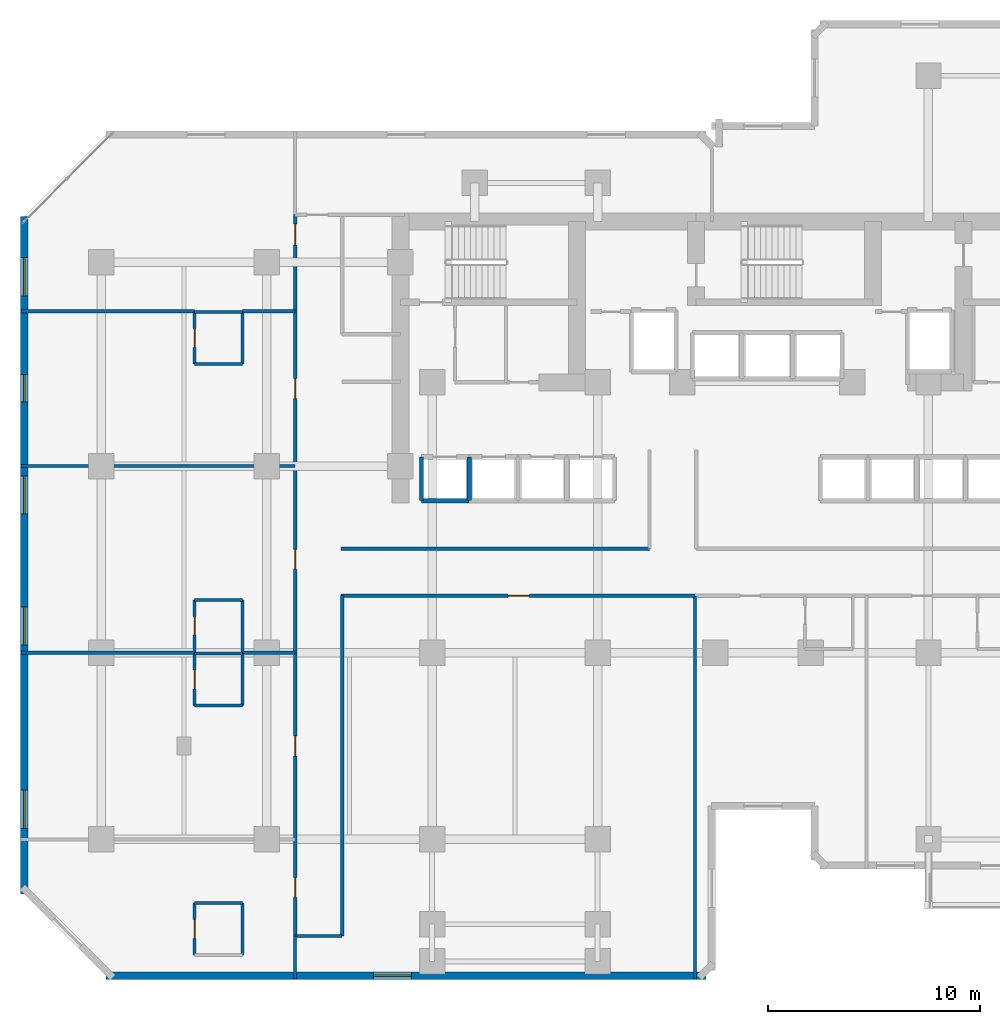
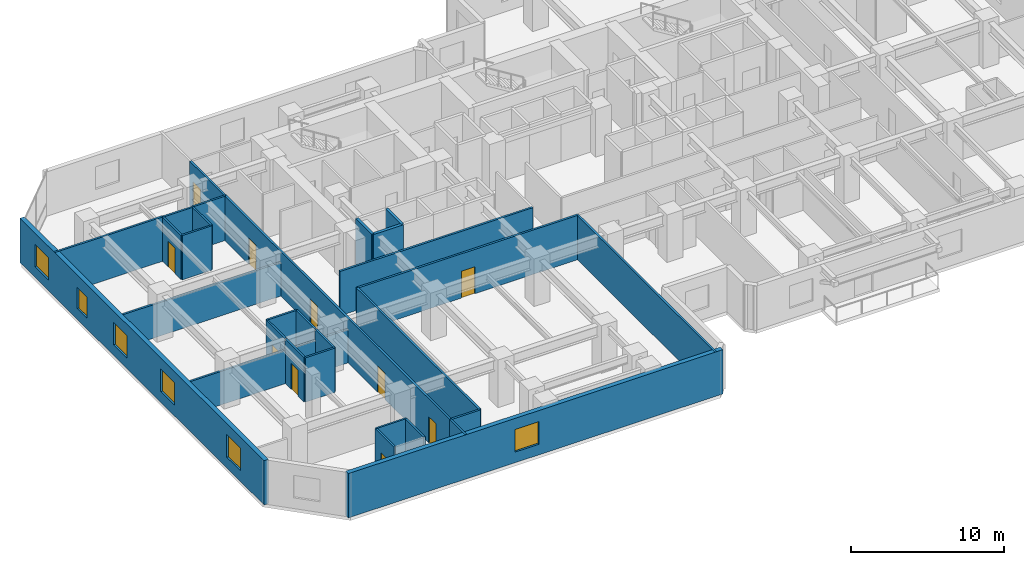
# One storey, part 5 of 11: 31 walls, 10 doors, 6 windows, 16 openings.
"""IFC4 building model written with IfcOpenShell, lengths in metres."""

from ifc_helpers import new_model, si_unit, direction, frame, frame_2d, origin, place, context, subcontext, project, spatial, rectangle, extrude, material, layer, layer_set, type_object, element, fill, save


model = new_model("IFC4")

# Units and contexts
model_context = context("Model", 3, precision=1e-05, world=origin(), true_north=direction((0.0, 1.0)))
body_context = subcontext(model_context, "Body", "Model", "MODEL_VIEW")
ifc_project = project(units=[si_unit("LENGTHUNIT", "METRE"), si_unit("AREAUNIT", "SQUARE_METRE"), si_unit("VOLUMEUNIT", "CUBIC_METRE"), si_unit("PLANEANGLEUNIT", "RADIAN"), si_unit("MASSUNIT", "GRAM", prefix="KILO")], contexts=[model_context])

# Site, building, storey
site_placement = place(None, origin())
site = spatial("IfcSite", under=ifc_project, at=site_placement, CompositionType="ELEMENT")
building_placement = place(site_placement, origin())
building = spatial("IfcBuilding", under=site, at=building_placement, Name="Kestravale Grand Hotel", CompositionType="ELEMENT")
storey_placement = place(building_placement, frame((0.0, 0.0, 84.199951171875)))
storey = spatial("IfcBuildingStorey", under=building, at=storey_placement, Name="L20", CompositionType="ELEMENT", Elevation=84.199951171875)

# Wall, opening, window
ifc_material_1 = material(Name="Precast concrete f'c 45 MPa", Category="concrete")
ifc_layer_1 = layer(ifc_material_1, 0.340087890625)
ifc_layer_set_1 = layer_set([ifc_layer_1], Name="EW-PREC-340")
wall_type_1 = type_object("IfcWallType", Name="EW-PREC-340", PredefinedType="SOLIDWALL", material=ifc_layer_set_1)
wall_1_placement = place(storey_placement, frame((8.030029296875, 4.77001953125, 0.0), z_axis=(0.0, 0.0, 1.0), x_axis=(1.0, 0.0, 0.0)))
wall_1 = element("IfcWall", 1, at=wall_1_placement, inside=storey, type_object=wall_type_1, Name="L20 fluted precast facade wall 1", PredefinedType="SOLIDWALL", context=body_context, shape_type="SweptSolid", body=[
    extrude(rectangle(XDim=28.2900390625, YDim=0.340087890625, at=frame_2d((14.14501953125, 0.0))), origin(), (0.0, 0.0, 1.0), 3.5400390625),
])
opening_1_placement = place(wall_1_placement, frame((12.594970703125, 0.0, 0.85009765625)))
opening_1 = element("IfcOpeningElement", 2, at=opening_1_placement, cuts=wall_1, Name="Opening W-GUEST-1800", PredefinedType="OPENING", context=body_context, shape_type="SweptSolid", body=[
    extrude(rectangle(XDim=1.800048828125, YDim=1.800048828125, at=frame_2d((0.89990234375, 0.89990234375))), frame((0.0, 0.179931640625, 0.0), z_axis=(0.0, -1.0, 0.0), x_axis=(1.0, 0.0, 0.0)), (0.0, 0.0, 1.0), 0.360107421875),
])
ifc_material_2 = material(Name="Insulated low-E double glazing in aluminium frame", Category="aluminium")
window_type_1 = type_object("IfcWindowType", Name="W-GUEST-1800", PartitioningType="DOUBLE_PANEL_VERTICAL", PredefinedType="WINDOW", material=ifc_material_2)
window_1_placement = place(opening_1_placement, origin())
window_1 = element("IfcWindow", 3, at=window_1_placement, inside=storey, type_object=window_type_1, Name="L20 exterior window 1.1", OverallHeight=1.800048828125, OverallWidth=1.800048828125, PartitioningType="SINGLE_PANEL", PredefinedType="WINDOW", context=body_context, shape_type="SweptSolid", body=[
    extrude(rectangle(XDim=1.800048828125, YDim=1.800048828125, at=frame_2d((0.89990234375, 0.89990234375))), frame((0.0, 0.030029296875, 0.0), z_axis=(0.0, -1.0, 0.0), x_axis=(1.0, 0.0, 0.0)), (0.0, 0.0, 1.0), 0.06005859375),
])
fill(opening_1, window_1)

# Wall, openings, windows
wall_2_placement = place(storey_placement, frame((4.169921875, 40.570068359375, 0.0), z_axis=(0.0, 0.0, 1.0), x_axis=(0.0, -1.0, 0.0)))
wall_2 = element("IfcWall", 4, at=wall_2_placement, inside=storey, type_object=wall_type_1, Name="L20 fluted precast facade wall 19", PredefinedType="SOLIDWALL", context=body_context, shape_type="SweptSolid", body=[
    extrude(rectangle(XDim=31.940185546875, YDim=0.340087890625, at=frame_2d((15.97021484375, 0.0))), origin(), (0.0, 0.0, 1.0), 3.5400390625),
])
opening_2_placement = place(wall_2_placement, frame((1.9423828125, 0.0, 0.85009765625)))
opening_2 = element("IfcOpeningElement", 5, at=opening_2_placement, cuts=wall_2, Name="Opening W-GUEST-1800", PredefinedType="OPENING", context=body_context, shape_type="SweptSolid", body=[
    extrude(rectangle(XDim=1.800048828125, YDim=1.800048828125, at=frame_2d((0.89990234375, 0.89990234375))), frame((0.0, 0.179931640625, 0.0), z_axis=(0.0, -1.0, 0.0), x_axis=(1.0, 0.0, 0.0)), (0.0, 0.0, 1.0), 0.360107421875),
])
opening_3_placement = place(wall_2_placement, frame((12.2275390625, 0.0, 0.85009765625)))
opening_3 = element("IfcOpeningElement", 6, at=opening_3_placement, cuts=wall_2, Name="Opening W-GUEST-1800", PredefinedType="OPENING", context=body_context, shape_type="SweptSolid", body=[
    extrude(rectangle(XDim=1.800048828125, YDim=1.800048828125, at=frame_2d((0.89990234375, 0.89990234375))), frame((0.0, 0.179931640625, 0.0), z_axis=(0.0, -1.0, 0.0), x_axis=(1.0, 0.0, 0.0)), (0.0, 0.0, 1.0), 0.360107421875),
])
opening_4_placement = place(wall_2_placement, frame((18.41259765625, 0.0, 0.85009765625)))
opening_4 = element("IfcOpeningElement", 7, at=opening_4_placement, cuts=wall_2, Name="Opening W-GUEST-1800", PredefinedType="OPENING", context=body_context, shape_type="SweptSolid", body=[
    extrude(rectangle(XDim=1.800048828125, YDim=1.800048828125, at=frame_2d((0.89990234375, 0.89990234375))), frame((0.0, 0.179931640625, 0.0), z_axis=(0.0, -1.0, 0.0), x_axis=(1.0, 0.0, 0.0)), (0.0, 0.0, 1.0), 0.360107421875),
])
opening_5_placement = place(wall_2_placement, frame((27.047607421875, 0.0, 0.85009765625)))
opening_5 = element("IfcOpeningElement", 8, at=opening_5_placement, cuts=wall_2, Name="Opening W-GUEST-1800", PredefinedType="OPENING", context=body_context, shape_type="SweptSolid", body=[
    extrude(rectangle(XDim=1.800048828125, YDim=1.800048828125, at=frame_2d((0.89990234375, 0.89990234375))), frame((0.0, 0.179931640625, 0.0), z_axis=(0.0, -1.0, 0.0), x_axis=(1.0, 0.0, 0.0)), (0.0, 0.0, 1.0), 0.360107421875),
])
opening_6_placement = place(wall_2_placement, frame((7.4599609375, 0.0, 0.85009765625)))
opening_6 = element("IfcOpeningElement", 9, at=opening_6_placement, cuts=wall_2, Name="Opening W-GUEST-1300", PredefinedType="OPENING", context=body_context, shape_type="SweptSolid", body=[
    extrude(rectangle(XDim=1.300048828125, YDim=1.699951171875, at=frame_2d((0.64990234375, 0.85009765625))), frame((0.0, 0.179931640625, 0.0), z_axis=(0.0, -1.0, 0.0), x_axis=(1.0, 0.0, 0.0)), (0.0, 0.0, 1.0), 0.360107421875),
])
ifc_material_3 = material(Name="Insulated low-E double glazing in aluminium frame", Category="aluminium")
window_type_2 = type_object("IfcWindowType", Name="W-GUEST-1300", PartitioningType="SINGLE_PANEL", PredefinedType="WINDOW", material=ifc_material_3)
window_2_placement = place(opening_6_placement, origin())
window_2 = element("IfcWindow", 10, at=window_2_placement, inside=storey, type_object=window_type_2, Name="L20 guestroom envelope window 1", OverallHeight=1.699951171875, OverallWidth=1.300048828125, PartitioningType="SINGLE_PANEL", PredefinedType="WINDOW", context=body_context, shape_type="SweptSolid", body=[
    extrude(rectangle(XDim=1.300048828125, YDim=1.699951171875, at=frame_2d((0.64990234375, 0.85009765625))), frame((0.0, 0.030029296875, 0.0), z_axis=(0.0, -1.0, 0.0), x_axis=(1.0, 0.0, 0.0)), (0.0, 0.0, 1.0), 0.06005859375),
])
fill(opening_6, window_2)
window_3_placement = place(opening_2_placement, origin())
window_3 = element("IfcWindow", 11, at=window_3_placement, inside=storey, type_object=window_type_1, Name="L20 exterior window 19.1", OverallHeight=1.800048828125, OverallWidth=1.800048828125, PartitioningType="SINGLE_PANEL", PredefinedType="WINDOW", context=body_context, shape_type="SweptSolid", body=[
    extrude(rectangle(XDim=1.800048828125, YDim=1.800048828125, at=frame_2d((0.89990234375, 0.89990234375))), frame((0.0, 0.030029296875, 0.0), z_axis=(0.0, -1.0, 0.0), x_axis=(1.0, 0.0, 0.0)), (0.0, 0.0, 1.0), 0.06005859375),
])
fill(opening_2, window_3)
window_4_placement = place(opening_3_placement, origin())
window_4 = element("IfcWindow", 12, at=window_4_placement, inside=storey, type_object=window_type_1, Name="L20 exterior window 19.2", OverallHeight=1.800048828125, OverallWidth=1.800048828125, PartitioningType="SINGLE_PANEL", PredefinedType="WINDOW", context=body_context, shape_type="SweptSolid", body=[
    extrude(rectangle(XDim=1.800048828125, YDim=1.800048828125, at=frame_2d((0.89990234375, 0.89990234375))), frame((0.0, 0.030029296875, 0.0), z_axis=(0.0, -1.0, 0.0), x_axis=(1.0, 0.0, 0.0)), (0.0, 0.0, 1.0), 0.06005859375),
])
fill(opening_3, window_4)
window_5_placement = place(opening_4_placement, origin())
window_5 = element("IfcWindow", 13, at=window_5_placement, inside=storey, type_object=window_type_1, Name="L20 exterior window 19.3", OverallHeight=1.800048828125, OverallWidth=1.800048828125, PartitioningType="SINGLE_PANEL", PredefinedType="WINDOW", context=body_context, shape_type="SweptSolid", body=[
    extrude(rectangle(XDim=1.800048828125, YDim=1.800048828125, at=frame_2d((0.89990234375, 0.89990234375))), frame((0.0, 0.030029296875, 0.0), z_axis=(0.0, -1.0, 0.0), x_axis=(1.0, 0.0, 0.0)), (0.0, 0.0, 1.0), 0.06005859375),
])
fill(opening_4, window_5)
window_6_placement = place(opening_5_placement, origin())
window_6 = element("IfcWindow", 14, at=window_6_placement, inside=storey, type_object=window_type_1, Name="L20 exterior window 19.4", OverallHeight=1.800048828125, OverallWidth=1.800048828125, PartitioningType="SINGLE_PANEL", PredefinedType="WINDOW", context=body_context, shape_type="SweptSolid", body=[
    extrude(rectangle(XDim=1.800048828125, YDim=1.800048828125, at=frame_2d((0.89990234375, 0.89990234375))), frame((0.0, 0.030029296875, 0.0), z_axis=(0.0, -1.0, 0.0), x_axis=(1.0, 0.0, 0.0)), (0.0, 0.0, 1.0), 0.06005859375),
])
fill(opening_5, window_6)

# Wall
ifc_material_4 = material(Name="Acoustic fire-rated gypsum board partition", Category="other")
ifc_layer_2 = layer(ifc_material_4, 0.159912109375)
ifc_layer_set_2 = layer_set([ifc_layer_2], Name="IW-CORR-160")
wall_type_2 = type_object("IfcWallType", Name="IW-CORR-160", PredefinedType="PARTITIONING", material=ifc_layer_set_2)
wall_3_placement = place(storey_placement, frame((19.10009765625, 24.909912109375, 0.0), z_axis=(0.0, 0.0, 1.0), x_axis=(1.0, 0.0, 0.0)))
element("IfcWall", 15, at=wall_3_placement, inside=storey, type_object=wall_type_2, Name="W-L20-CW-N", PredefinedType="PARTITIONING", context=body_context, shape_type="SweptSolid", body=[
    extrude(rectangle(XDim=14.5498046875, YDim=0.159912109375, at=frame_2d((7.27490234375, 0.0))), origin(), (0.0, 0.0, 1.0), 3.5400390625),
])

# Wall, opening, door
wall_4_placement = place(storey_placement, frame((19.10009765625, 22.68994140625, 0.0), z_axis=(0.0, 0.0, 1.0), x_axis=(1.0, 0.0, 0.0)))
wall_4 = element("IfcWall", 16, at=wall_4_placement, inside=storey, type_object=wall_type_2, Name="W-L20-CW-S", PredefinedType="PARTITIONING", context=body_context, shape_type="SweptSolid", body=[
    extrude(rectangle(XDim=16.699951171875, YDim=0.159912109375, at=frame_2d((8.35009765625, 0.0))), origin(), (0.0, 0.0, 1.0), 3.5400390625),
])
opening_7_placement = place(wall_4_placement, frame((7.8798828125, 0.0, 0.0)))
opening_7 = element("IfcOpeningElement", 17, at=opening_7_placement, cuts=wall_4, Name="Opening D-GUEST-1000", PredefinedType="OPENING", context=body_context, shape_type="SweptSolid", body=[
    extrude(rectangle(XDim=1.0, YDim=2.14990234375, at=frame_2d((0.5, 1.074951171875))), frame((0.0, 0.08984375, 0.0), z_axis=(0.0, -1.0, 0.0), x_axis=(1.0, 0.0, 0.0)), (0.0, 0.0, 1.0), 0.179931640625),
])
ifc_material_5 = material(Name="Accessible walnut veneer hotel entrance fire door", Category="wood")
door_type_1 = type_object("IfcDoorType", Name="D-GUEST-1000", OperationType="NOTDEFINED", PredefinedType="DOOR", material=ifc_material_5)
door_1_placement = place(opening_7_placement, origin())
door_1 = element("IfcDoor", 18, at=door_1_placement, inside=storey, type_object=door_type_1, Name="D-L20-AMW", OperationType="SINGLE_SWING_LEFT", OverallHeight=2.14990234375, OverallWidth=1.0, PredefinedType="DOOR", context=body_context, shape_type="SweptSolid", body=[
    extrude(rectangle(XDim=1.0, YDim=2.14990234375, at=frame_2d((0.5, 1.074951171875))), frame((0.0, 0.02490234375, 0.0), z_axis=(0.0, -1.0, 0.0), x_axis=(1.0, 0.0, 0.0)), (0.0, 0.0, 1.0), 0.050048828125),
])
fill(opening_7, door_1)

# Wall, openings, doors
wall_5_placement = place(storey_placement, frame((16.93994140625, 6.64990234375, 0.0), z_axis=(0.0, 0.0, 1.0), x_axis=(0.0, 1.0, 0.0)))
wall_5 = element("IfcWall", 19, at=wall_5_placement, inside=storey, type_object=wall_type_2, Name="W-L20-SW-W", PredefinedType="PARTITIONING", context=body_context, shape_type="SweptSolid", body=[
    extrude(rectangle(XDim=34.0, YDim=0.159912109375, at=frame_2d((17.0, 0.0))), origin(), (0.0, 0.0, 1.0), 3.5400390625),
])
opening_8_placement = place(wall_5_placement, frame((1.800048828125, 0.0, 0.0)))
opening_8 = element("IfcOpeningElement", 20, at=opening_8_placement, cuts=wall_5, Name="Opening D-GUEST-950", PredefinedType="OPENING", context=body_context, shape_type="SweptSolid", body=[
    extrude(rectangle(XDim=0.949951171875, YDim=2.10009765625, at=frame_2d((0.47509765625, 1.050048828125))), frame((0.0, 0.08984375, 0.0), z_axis=(0.0, -1.0, 0.0), x_axis=(1.0, 0.0, 0.0)), (0.0, 0.0, 1.0), 0.179931640625),
])
opening_9_placement = place(wall_5_placement, frame((8.47509765625, 0.0, 0.0)))
opening_9 = element("IfcOpeningElement", 21, at=opening_9_placement, cuts=wall_5, Name="Opening D-GUEST-950", PredefinedType="OPENING", context=body_context, shape_type="SweptSolid", body=[
    extrude(rectangle(XDim=0.949951171875, YDim=2.10009765625, at=frame_2d((0.47509765625, 1.050048828125))), frame((0.0, 0.08984375, 0.0), z_axis=(0.0, -1.0, 0.0), x_axis=(1.0, 0.0, 0.0)), (0.0, 0.0, 1.0), 0.179931640625),
])
opening_10_placement = place(wall_5_placement, frame((17.27490234375, 0.0, 0.0)))
opening_10 = element("IfcOpeningElement", 22, at=opening_10_placement, cuts=wall_5, Name="Opening D-GUEST-950", PredefinedType="OPENING", context=body_context, shape_type="SweptSolid", body=[
    extrude(rectangle(XDim=0.949951171875, YDim=2.10009765625, at=frame_2d((0.47509765625, 1.050048828125))), frame((0.0, 0.08984375, 0.0), z_axis=(0.0, -1.0, 0.0), x_axis=(1.0, 0.0, 0.0)), (0.0, 0.0, 1.0), 0.179931640625),
])
opening_11_placement = place(wall_5_placement, frame((25.324951171875, 0.0, 0.0)))
opening_11 = element("IfcOpeningElement", 23, at=opening_11_placement, cuts=wall_5, Name="Opening D-GUEST-950", PredefinedType="OPENING", context=body_context, shape_type="SweptSolid", body=[
    extrude(rectangle(XDim=0.949951171875, YDim=2.10009765625, at=frame_2d((0.47509765625, 1.050048828125))), frame((0.0, 0.08984375, 0.0), z_axis=(0.0, -1.0, 0.0), x_axis=(1.0, 0.0, 0.0)), (0.0, 0.0, 1.0), 0.179931640625),
])
opening_12_placement = place(wall_5_placement, frame((32.56005859375, 0.0, 0.0)))
opening_12 = element("IfcOpeningElement", 24, at=opening_12_placement, cuts=wall_5, Name="Opening D-GUEST-1000", PredefinedType="OPENING", context=body_context, shape_type="SweptSolid", body=[
    extrude(rectangle(XDim=1.0, YDim=2.14990234375, at=frame_2d((0.5, 1.074951171875))), frame((0.0, 0.08984375, 0.0), z_axis=(0.0, -1.0, 0.0), x_axis=(1.0, 0.0, 0.0)), (0.0, 0.0, 1.0), 0.179931640625),
])
door_2_placement = place(opening_12_placement, origin())
door_2 = element("IfcDoor", 25, at=door_2_placement, inside=storey, type_object=door_type_1, Name="D-L20-AMWW", OperationType="SINGLE_SWING_LEFT", OverallHeight=2.14990234375, OverallWidth=1.0, PredefinedType="DOOR", context=body_context, shape_type="SweptSolid", body=[
    extrude(rectangle(XDim=1.0, YDim=2.14990234375, at=frame_2d((0.5, 1.074951171875))), frame((0.0, 0.02490234375, 0.0), z_axis=(0.0, -1.0, 0.0), x_axis=(1.0, 0.0, 0.0)), (0.0, 0.0, 1.0), 0.050048828125),
])
fill(opening_12, door_2)
ifc_material_6 = material(Name="Walnut veneer hotel guestroom entrance fire door", Category="wood")
door_type_2 = type_object("IfcDoorType", Name="D-GUEST-950", OperationType="NOTDEFINED", PredefinedType="DOOR", material=ifc_material_6)
door_3_placement = place(opening_8_placement, origin())
door_3 = element("IfcDoor", 26, at=door_3_placement, inside=storey, type_object=door_type_2, Name="D-L20-U03-ENT", OperationType="SINGLE_SWING_RIGHT", OverallHeight=2.10009765625, OverallWidth=0.949951171875, PredefinedType="DOOR", context=body_context, shape_type="SweptSolid", body=[
    extrude(rectangle(XDim=0.949951171875, YDim=2.10009765625, at=frame_2d((0.47509765625, 1.050048828125))), frame((0.0, 0.02490234375, 0.0), z_axis=(0.0, -1.0, 0.0), x_axis=(1.0, 0.0, 0.0)), (0.0, 0.0, 1.0), 0.050048828125),
])
fill(opening_8, door_3)
door_4_placement = place(opening_9_placement, origin())
door_4 = element("IfcDoor", 27, at=door_4_placement, inside=storey, type_object=door_type_2, Name="D-L20-U04-ENT", OperationType="SINGLE_SWING_RIGHT", OverallHeight=2.10009765625, OverallWidth=0.949951171875, PredefinedType="DOOR", context=body_context, shape_type="SweptSolid", body=[
    extrude(rectangle(XDim=0.949951171875, YDim=2.10009765625, at=frame_2d((0.47509765625, 1.050048828125))), frame((0.0, 0.02490234375, 0.0), z_axis=(0.0, -1.0, 0.0), x_axis=(1.0, 0.0, 0.0)), (0.0, 0.0, 1.0), 0.050048828125),
])
fill(opening_9, door_4)
door_5_placement = place(opening_10_placement, origin())
door_5 = element("IfcDoor", 28, at=door_5_placement, inside=storey, type_object=door_type_2, Name="D-L20-U05-ENT", OperationType="SINGLE_SWING_RIGHT", OverallHeight=2.10009765625, OverallWidth=0.949951171875, PredefinedType="DOOR", context=body_context, shape_type="SweptSolid", body=[
    extrude(rectangle(XDim=0.949951171875, YDim=2.10009765625, at=frame_2d((0.47509765625, 1.050048828125))), frame((0.0, 0.02490234375, 0.0), z_axis=(0.0, -1.0, 0.0), x_axis=(1.0, 0.0, 0.0)), (0.0, 0.0, 1.0), 0.050048828125),
])
fill(opening_10, door_5)
door_6_placement = place(opening_11_placement, origin())
door_6 = element("IfcDoor", 29, at=door_6_placement, inside=storey, type_object=door_type_2, Name="D-L20-U06-ENT", OperationType="SINGLE_SWING_RIGHT", OverallHeight=2.10009765625, OverallWidth=0.949951171875, PredefinedType="DOOR", context=body_context, shape_type="SweptSolid", body=[
    extrude(rectangle(XDim=0.949951171875, YDim=2.10009765625, at=frame_2d((0.47509765625, 1.050048828125))), frame((0.0, 0.02490234375, 0.0), z_axis=(0.0, -1.0, 0.0), x_axis=(1.0, 0.0, 0.0)), (0.0, 0.0, 1.0), 0.050048828125),
])
fill(opening_11, door_6)

# Wall
wall_6_placement = place(storey_placement, frame((19.159912109375, 6.64990234375, 0.0), z_axis=(0.0, 0.0, 1.0), x_axis=(0.0, 1.0, 0.0)))
element("IfcWall", 30, at=wall_6_placement, inside=storey, type_object=wall_type_2, Name="W-L20-SW-E", PredefinedType="PARTITIONING", context=body_context, shape_type="SweptSolid", body=[
    extrude(rectangle(XDim=16.0400390625, YDim=0.159912109375, at=frame_2d((8.02001953125, 0.0))), origin(), (0.0, 0.0, 1.0), 3.5400390625),
])

# Wall, opening, door
ifc_material_7 = material(Name="Moisture-resistant tile-backer plumbing chase wall", Category="other")
ifc_layer_3 = layer(ifc_material_7, 0.139892578125)
ifc_layer_set_3 = layer_set([ifc_layer_3], Name="IW-PLB-140")
wall_type_3 = type_object("IfcWallType", Name="IW-PLB-140", PredefinedType="PLUMBINGWALL", material=ifc_layer_set_3)
wall_7_placement = place(storey_placement, frame((12.199951171875, 5.75, 0.0), z_axis=(0.0, 0.0, 1.0), x_axis=(0.0, 1.0, 0.0)))
wall_7 = element("IfcWall", 31, at=wall_7_placement, inside=storey, type_object=wall_type_3, Name="W-L20-U03-BW", PredefinedType="PLUMBINGWALL", context=body_context, shape_type="SweptSolid", body=[
    extrude(rectangle(XDim=2.449951171875, YDim=0.139892578125, at=frame_2d((1.22509765625, 0.0))), origin(), (0.0, 0.0, 1.0), 3.5400390625),
])
opening_13_placement = place(wall_7_placement, frame((0.784912109375, 0.0, 0.0)))
opening_13 = element("IfcOpeningElement", 32, at=opening_13_placement, cuts=wall_7, Name="Opening D-BATH-880", PredefinedType="OPENING", context=body_context, shape_type="SweptSolid", body=[
    extrude(rectangle(XDim=0.8798828125, YDim=2.050048828125, at=frame_2d((0.43994140625, 1.02490234375))), frame((0.0, 0.079833984375, 0.0), z_axis=(0.0, -1.0, 0.0), x_axis=(1.0, 0.0, 0.0)), (0.0, 0.0, 1.0), 0.159912109375),
])
ifc_material_8 = material(Name="Moisture-sealed walnut en-suite bathroom door", Category="wood")
door_type_3 = type_object("IfcDoorType", Name="D-BATH-880", OperationType="NOTDEFINED", PredefinedType="DOOR", material=ifc_material_8)
door_7_placement = place(opening_13_placement, origin())
door_7 = element("IfcDoor", 33, at=door_7_placement, inside=storey, type_object=door_type_3, Name="D-L20-U03-BATH", OperationType="SINGLE_SWING_LEFT", OverallHeight=2.050048828125, OverallWidth=0.8798828125, PredefinedType="DOOR", context=body_context, shape_type="SweptSolid", body=[
    extrude(rectangle(XDim=0.8798828125, YDim=2.050048828125, at=frame_2d((0.43994140625, 1.02490234375))), frame((0.0, 0.02490234375, 0.0), z_axis=(0.0, -1.0, 0.0), x_axis=(1.0, 0.0, 0.0)), (0.0, 0.0, 1.0), 0.050048828125),
])
fill(opening_13, door_7)

# Walls
wall_8_placement = place(storey_placement, frame((14.449951171875, 5.75, 0.0), z_axis=(0.0, 0.0, 1.0), x_axis=(0.0, 1.0, 0.0)))
element("IfcWall", 34, at=wall_8_placement, inside=storey, type_object=wall_type_3, Name="W-L20-U03-BE", PredefinedType="PLUMBINGWALL", context=body_context, shape_type="SweptSolid", body=[
    extrude(rectangle(XDim=2.449951171875, YDim=0.139892578125, at=frame_2d((1.22509765625, 0.0))), origin(), (0.0, 0.0, 1.0), 3.5400390625),
])
wall_9_placement = place(storey_placement, frame((12.199951171875, 8.199951171875, 0.0), z_axis=(0.0, 0.0, 1.0), x_axis=(1.0, 0.0, 0.0)))
element("IfcWall", 35, at=wall_9_placement, inside=storey, type_object=wall_type_3, Name="W-L20-U03-BN", PredefinedType="PLUMBINGWALL", context=body_context, shape_type="SweptSolid", body=[
    extrude(rectangle(XDim=2.25, YDim=0.139892578125, at=frame_2d((1.125, 0.0))), origin(), (0.0, 0.0, 1.0), 3.5400390625),
])

# Wall, opening, door
wall_10_placement = place(storey_placement, frame((12.199951171875, 17.510009765625, 0.0), z_axis=(0.0, 0.0, 1.0), x_axis=(0.0, 1.0, 0.0)))
wall_10 = element("IfcWall", 36, at=wall_10_placement, inside=storey, type_object=wall_type_3, Name="W-L20-U04-BW", PredefinedType="PLUMBINGWALL", context=body_context, shape_type="SweptSolid", body=[
    extrude(rectangle(XDim=2.449951171875, YDim=0.139892578125, at=frame_2d((1.22509765625, 0.0))), origin(), (0.0, 0.0, 1.0), 3.5400390625),
])
opening_14_placement = place(wall_10_placement, frame((0.784912109375, 0.0, 0.0)))
opening_14 = element("IfcOpeningElement", 37, at=opening_14_placement, cuts=wall_10, Name="Opening D-BATH-880", PredefinedType="OPENING", context=body_context, shape_type="SweptSolid", body=[
    extrude(rectangle(XDim=0.8798828125, YDim=2.050048828125, at=frame_2d((0.43994140625, 1.02490234375))), frame((0.0, 0.079833984375, 0.0), z_axis=(0.0, -1.0, 0.0), x_axis=(1.0, 0.0, 0.0)), (0.0, 0.0, 1.0), 0.159912109375),
])
door_8_placement = place(opening_14_placement, origin())
door_8 = element("IfcDoor", 38, at=door_8_placement, inside=storey, type_object=door_type_3, Name="D-L20-U04-BATH", OperationType="SINGLE_SWING_LEFT", OverallHeight=2.050048828125, OverallWidth=0.8798828125, PredefinedType="DOOR", context=body_context, shape_type="SweptSolid", body=[
    extrude(rectangle(XDim=0.8798828125, YDim=2.050048828125, at=frame_2d((0.43994140625, 1.02490234375))), frame((0.0, 0.02490234375, 0.0), z_axis=(0.0, -1.0, 0.0), x_axis=(1.0, 0.0, 0.0)), (0.0, 0.0, 1.0), 0.050048828125),
])
fill(opening_14, door_8)

# Walls
wall_11_placement = place(storey_placement, frame((14.449951171875, 17.510009765625, 0.0), z_axis=(0.0, 0.0, 1.0), x_axis=(0.0, 1.0, 0.0)))
element("IfcWall", 39, at=wall_11_placement, inside=storey, type_object=wall_type_3, Name="W-L20-U04-BE", PredefinedType="PLUMBINGWALL", context=body_context, shape_type="SweptSolid", body=[
    extrude(rectangle(XDim=2.449951171875, YDim=0.139892578125, at=frame_2d((1.22509765625, 0.0))), origin(), (0.0, 0.0, 1.0), 3.5400390625),
])
wall_12_placement = place(storey_placement, frame((12.199951171875, 17.510009765625, 0.0), z_axis=(0.0, 0.0, 1.0), x_axis=(1.0, 0.0, 0.0)))
element("IfcWall", 40, at=wall_12_placement, inside=storey, type_object=wall_type_3, Name="W-L20-U04-BS", PredefinedType="PLUMBINGWALL", context=body_context, shape_type="SweptSolid", body=[
    extrude(rectangle(XDim=2.25, YDim=0.139892578125, at=frame_2d((1.125, 0.0))), origin(), (0.0, 0.0, 1.0), 3.5400390625),
])
wall_13_placement = place(storey_placement, frame((12.199951171875, 19.9599609375, 0.0), z_axis=(0.0, 0.0, 1.0), x_axis=(1.0, 0.0, 0.0)))
element("IfcWall", 41, at=wall_13_placement, inside=storey, type_object=wall_type_3, Name="W-L20-U04-BN", PredefinedType="PLUMBINGWALL", context=body_context, shape_type="SweptSolid", body=[
    extrude(rectangle(XDim=2.25, YDim=0.139892578125, at=frame_2d((1.125, 0.0))), origin(), (0.0, 0.0, 1.0), 2.678955078125),
])

# Wall, opening, door
wall_14_placement = place(storey_placement, frame((12.199951171875, 20.0400390625, 0.0), z_axis=(0.0, 0.0, 1.0), x_axis=(0.0, 1.0, 0.0)))
wall_14 = element("IfcWall", 42, at=wall_14_placement, inside=storey, type_object=wall_type_3, Name="W-L20-U05-BW", PredefinedType="PLUMBINGWALL", context=body_context, shape_type="SweptSolid", body=[
    extrude(rectangle(XDim=2.449951171875, YDim=0.139892578125, at=frame_2d((1.22509765625, 0.0))), origin(), (0.0, 0.0, 1.0), 3.5400390625),
])
opening_15_placement = place(wall_14_placement, frame((0.784912109375, 0.0, 0.0)))
opening_15 = element("IfcOpeningElement", 43, at=opening_15_placement, cuts=wall_14, Name="Opening D-BATH-880", PredefinedType="OPENING", context=body_context, shape_type="SweptSolid", body=[
    extrude(rectangle(XDim=0.8798828125, YDim=2.050048828125, at=frame_2d((0.43994140625, 1.02490234375))), frame((0.0, 0.079833984375, 0.0), z_axis=(0.0, -1.0, 0.0), x_axis=(1.0, 0.0, 0.0)), (0.0, 0.0, 1.0), 0.159912109375),
])
door_9_placement = place(opening_15_placement, origin())
door_9 = element("IfcDoor", 44, at=door_9_placement, inside=storey, type_object=door_type_3, Name="D-L20-U05-BATH", OperationType="SINGLE_SWING_LEFT", OverallHeight=2.050048828125, OverallWidth=0.8798828125, PredefinedType="DOOR", context=body_context, shape_type="SweptSolid", body=[
    extrude(rectangle(XDim=0.8798828125, YDim=2.050048828125, at=frame_2d((0.43994140625, 1.02490234375))), frame((0.0, 0.02490234375, 0.0), z_axis=(0.0, -1.0, 0.0), x_axis=(1.0, 0.0, 0.0)), (0.0, 0.0, 1.0), 0.050048828125),
])
fill(opening_15, door_9)

# Walls
wall_15_placement = place(storey_placement, frame((14.449951171875, 20.0400390625, 0.0), z_axis=(0.0, 0.0, 1.0), x_axis=(0.0, 1.0, 0.0)))
element("IfcWall", 45, at=wall_15_placement, inside=storey, type_object=wall_type_3, Name="W-L20-U05-BE", PredefinedType="PLUMBINGWALL", context=body_context, shape_type="SweptSolid", body=[
    extrude(rectangle(XDim=2.449951171875, YDim=0.139892578125, at=frame_2d((1.22509765625, 0.0))), origin(), (0.0, 0.0, 1.0), 3.5400390625),
])
wall_16_placement = place(storey_placement, frame((12.199951171875, 22.489990234375, 0.0), z_axis=(0.0, 0.0, 1.0), x_axis=(1.0, 0.0, 0.0)))
element("IfcWall", 46, at=wall_16_placement, inside=storey, type_object=wall_type_3, Name="W-L20-U05-BN", PredefinedType="PLUMBINGWALL", context=body_context, shape_type="SweptSolid", body=[
    extrude(rectangle(XDim=2.25, YDim=0.139892578125, at=frame_2d((1.125, 0.0))), origin(), (0.0, 0.0, 1.0), 3.5400390625),
])

# Wall, opening, door
wall_17_placement = place(storey_placement, frame((12.199951171875, 33.610107421875, 0.0), z_axis=(0.0, 0.0, 1.0), x_axis=(0.0, 1.0, 0.0)))
wall_17 = element("IfcWall", 47, at=wall_17_placement, inside=storey, type_object=wall_type_3, Name="W-L20-U06-BW", PredefinedType="PLUMBINGWALL", context=body_context, shape_type="SweptSolid", body=[
    extrude(rectangle(XDim=2.449951171875, YDim=0.139892578125, at=frame_2d((1.22509765625, 0.0))), origin(), (0.0, 0.0, 1.0), 3.5400390625),
])
opening_16_placement = place(wall_17_placement, frame((0.784912109375, 0.0, 0.0)))
opening_16 = element("IfcOpeningElement", 48, at=opening_16_placement, cuts=wall_17, Name="Opening D-BATH-880", PredefinedType="OPENING", context=body_context, shape_type="SweptSolid", body=[
    extrude(rectangle(XDim=0.8798828125, YDim=2.050048828125, at=frame_2d((0.43994140625, 1.02490234375))), frame((0.0, 0.079833984375, 0.0), z_axis=(0.0, -1.0, 0.0), x_axis=(1.0, 0.0, 0.0)), (0.0, 0.0, 1.0), 0.159912109375),
])
door_10_placement = place(opening_16_placement, origin())
door_10 = element("IfcDoor", 49, at=door_10_placement, inside=storey, type_object=door_type_3, Name="D-L20-U06-BATH", OperationType="SINGLE_SWING_LEFT", OverallHeight=2.050048828125, OverallWidth=0.8798828125, PredefinedType="DOOR", context=body_context, shape_type="SweptSolid", body=[
    extrude(rectangle(XDim=0.8798828125, YDim=2.050048828125, at=frame_2d((0.43994140625, 1.02490234375))), frame((0.0, 0.02490234375, 0.0), z_axis=(0.0, -1.0, 0.0), x_axis=(1.0, 0.0, 0.0)), (0.0, 0.0, 1.0), 0.050048828125),
])
fill(opening_16, door_10)

# Walls
wall_18_placement = place(storey_placement, frame((14.449951171875, 33.610107421875, 0.0), z_axis=(0.0, 0.0, 1.0), x_axis=(0.0, 1.0, 0.0)))
element("IfcWall", 50, at=wall_18_placement, inside=storey, type_object=wall_type_3, Name="W-L20-U06-BE", PredefinedType="PLUMBINGWALL", context=body_context, shape_type="SweptSolid", body=[
    extrude(rectangle(XDim=2.449951171875, YDim=0.139892578125, at=frame_2d((1.22509765625, 0.0))), origin(), (0.0, 0.0, 1.0), 3.5400390625),
])
for number, where, z_axis, x_axis, name in (
    (51, (12.199951171875, 33.610107421875, 0.0), (0.0, 0.0, 1.0), (1.0, 0.0, 0.0), "W-L20-U06-BS"),
    (52, (12.199951171875, 36.06005859375, 0.0), (0.0, 0.0, 1.0), (1.0, 0.0, 0.0), "W-L20-U06-BN"),
):
    element("IfcWall", number, at=place(storey_placement, frame(where, z_axis=z_axis, x_axis=x_axis)), inside=storey, type_object=wall_type_3, Name=name, PredefinedType="PLUMBINGWALL", context=body_context, shape_type="SweptSolid", body=[
        extrude(rectangle(XDim=2.25, YDim=0.139892578125, at=frame_2d((1.125, 0.0))), origin(), (0.0, 0.0, 1.0), 3.5400390625),
    ])
ifc_material_9 = material(Name="Concrete f'c 45 MPa", Category="concrete")
ifc_layer_4 = layer(ifc_material_9, 0.199951171875)
ifc_layer_set_4 = layer_set([ifc_layer_4], Name="IW-SHAFT-200")
wall_type_4 = type_object("IfcWallType", Name="IW-SHAFT-200", PredefinedType="SHEAR", material=ifc_layer_set_4)
for number, where, z_axis, x_axis, name in (
    (53, (22.905029296875, 27.169921875, 0.0), (0.0, 0.0, 1.0), (0.0, 1.0, 0.0), "L20 PL-L1 west shaft wall"),
    (54, (25.14990234375, 27.169921875, 0.0), (0.0, 0.0, 1.0), (0.0, 1.0, 0.0), "L20 PL-L2 west shaft wall"),
):
    element("IfcWall", number, at=place(storey_placement, frame(where, z_axis=z_axis, x_axis=x_axis)), inside=storey, type_object=wall_type_4, Name=name, PredefinedType="SHEAR", context=body_context, shape_type="SweptSolid", body=[
        extrude(rectangle(XDim=2.06005859375, YDim=0.199951171875, at=frame_2d((1.030029296875, 0.0))), origin(), (0.0, 0.0, 1.0), 3.800048828125),
    ])
ifc_material_10 = material(Name="Concrete f'c 45 MPa", Category="concrete")
ifc_layer_5 = layer(ifc_material_10, 0.219970703125)
ifc_layer_set_5 = layer_set([ifc_layer_5], Name="IW-SHAFT-220")
wall_type_5 = type_object("IfcWallType", Name="IW-SHAFT-220", PredefinedType="SHEAR", material=ifc_layer_set_5)
wall_19_placement = place(storey_placement, frame((22.905029296875, 27.169921875, 0.0), z_axis=(0.0, 0.0, 1.0), x_axis=(1.0, 0.0, 0.0)))
element("IfcWall", 55, at=wall_19_placement, inside=storey, type_object=wall_type_5, Name="L20 PL-L1 south shaft wall", PredefinedType="SHEAR", context=body_context, shape_type="SweptSolid", body=[
    extrude(rectangle(XDim=2.244873046875, YDim=0.219970703125, at=frame_2d((1.12255859375, 0.0))), origin(), (0.0, 0.0, 1.0), 3.800048828125),
])
ifc_material_11 = material(Name="Double-stud STC 52 acoustic demising partition", Category="other")
ifc_layer_6 = layer(ifc_material_11, 0.14990234375)
ifc_layer_set_6 = layer_set([ifc_layer_6], Name="IW-UNIT-150")
wall_type_6 = type_object("IfcWallType", Name="IW-UNIT-150", PredefinedType="PARTITIONING", material=ifc_layer_set_6)
wall_20_placement = place(storey_placement, frame((16.93994140625, 6.64990234375, 0.0), z_axis=(0.0, 0.0, 1.0), x_axis=(1.0, 0.0, 0.0)))
element("IfcWall", 56, at=wall_20_placement, inside=storey, type_object=wall_type_6, Name="W-L20-SW-S", PredefinedType="PARTITIONING", context=body_context, shape_type="SweptSolid", body=[
    extrude(rectangle(XDim=2.219970703125, YDim=0.14990234375, at=frame_2d((1.10986328125, 0.0))), origin(), (0.0, 0.0, 1.0), 3.5400390625),
])
wall_21_placement = place(storey_placement, frame((35.800048828125, 4.6201171875, 0.0), z_axis=(0.0, 0.0, 1.0), x_axis=(0.0, 1.0, 0.0)))
element("IfcWall", 57, at=wall_21_placement, inside=storey, type_object=wall_type_6, Name="W-L20-MID-S", PredefinedType="PARTITIONING", context=body_context, shape_type="SweptSolid", body=[
    extrude(rectangle(XDim=18.0498046875, YDim=0.14990234375, at=frame_2d((9.02490234375, 0.0))), origin(), (0.0, 0.0, 1.0), 3.5400390625),
])
wall_22_placement = place(storey_placement, frame((16.93994140625, 4.6201171875, 0.0), z_axis=(0.0, 0.0, 1.0), x_axis=(0.0, 1.0, 0.0)))
element("IfcWall", 58, at=wall_22_placement, inside=storey, type_object=wall_type_6, Name="W-L20-SW-EXT", PredefinedType="PARTITIONING", context=body_context, shape_type="SweptSolid", body=[
    extrude(rectangle(XDim=2.02978515625, YDim=0.14990234375, at=frame_2d((1.014892578125, 0.0))), origin(), (0.0, 0.0, 1.0), 3.5400390625),
])
wall_23_placement = place(storey_placement, frame((4.02001953125, 20.0, 0.0), z_axis=(0.0, 0.0, 1.0), x_axis=(1.0, 0.0, 0.0)))
element("IfcWall", 59, at=wall_23_placement, inside=storey, type_object=wall_type_6, Name="W-L20-WW-2", PredefinedType="PARTITIONING", context=body_context, shape_type="SweptSolid", body=[
    extrude(rectangle(XDim=8.179931640625, YDim=0.14990234375, at=frame_2d((4.08984375, 0.0))), origin(), (0.0, 0.0, 1.0), 2.678955078125),
])
wall_24_placement = place(storey_placement, frame((14.449951171875, 20.0, 0.0), z_axis=(0.0, 0.0, 1.0), x_axis=(1.0, 0.0, 0.0)))
element("IfcWall", 60, at=wall_24_placement, inside=storey, type_object=wall_type_6, Name="W-L20-WW-2", PredefinedType="PARTITIONING", context=body_context, shape_type="SweptSolid", body=[
    extrude(rectangle(XDim=2.489990234375, YDim=0.14990234375, at=frame_2d((1.2451171875, 0.0))), origin(), (0.0, 0.0, 1.0), 2.678955078125),
])
wall_25_placement = place(storey_placement, frame((4.02001953125, 28.800048828125, 0.0), z_axis=(0.0, 0.0, 1.0), x_axis=(1.0, 0.0, 0.0)))
element("IfcWall", 61, at=wall_25_placement, inside=storey, type_object=wall_type_6, Name="W-L20-WW-3", PredefinedType="PARTITIONING", context=body_context, shape_type="SweptSolid", body=[
    extrude(rectangle(XDim=12.919921875, YDim=0.14990234375, at=frame_2d((6.4599609375, 0.0))), origin(), (0.0, 0.0, 1.0), 2.678955078125),
])
wall_26_placement = place(storey_placement, frame((4.02001953125, 36.10009765625, 0.0), z_axis=(0.0, 0.0, 1.0), x_axis=(1.0, 0.0, 0.0)))
element("IfcWall", 62, at=wall_26_placement, inside=storey, type_object=wall_type_6, Name="W-L20-WW-4", PredefinedType="PARTITIONING", context=body_context, shape_type="SweptSolid", body=[
    extrude(rectangle(XDim=8.179931640625, YDim=0.14990234375, at=frame_2d((4.08984375, 0.0))), origin(), (0.0, 0.0, 1.0), 3.5400390625),
])
wall_27_placement = place(storey_placement, frame((14.449951171875, 36.10009765625, 0.0), z_axis=(0.0, 0.0, 1.0), x_axis=(1.0, 0.0, 0.0)))
element("IfcWall", 63, at=wall_27_placement, inside=storey, type_object=wall_type_6, Name="W-L20-WW-4", PredefinedType="PARTITIONING", context=body_context, shape_type="SweptSolid", body=[
    extrude(rectangle(XDim=2.489990234375, YDim=0.14990234375, at=frame_2d((1.2451171875, 0.0))), origin(), (0.0, 0.0, 1.0), 3.5400390625),
])

save(model, "model.ifc")
